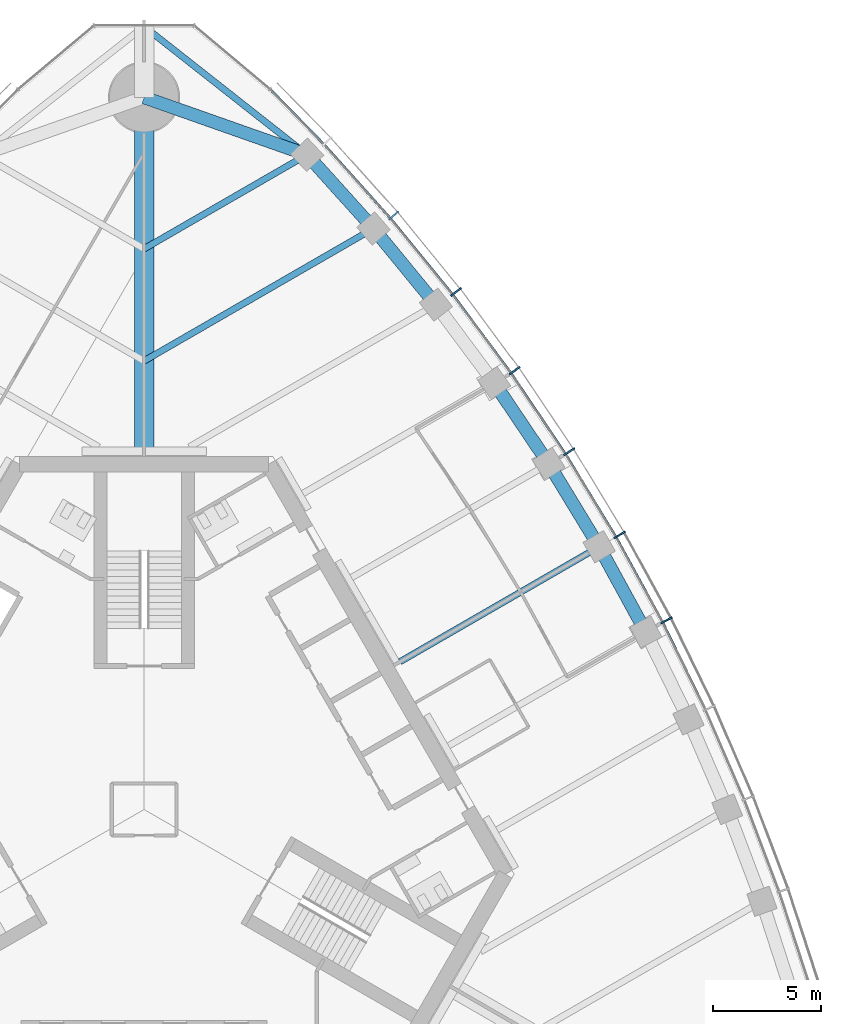
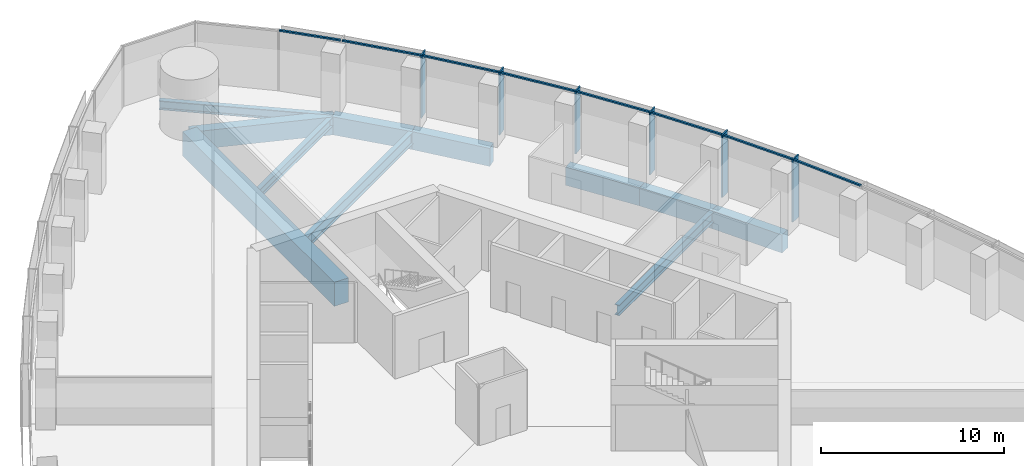
# One storey, part 7 of 19: 14 members, 11 beams, 1 element without a shape of its own.
"""IFC4 building model written with IfcOpenShell, lengths in metres."""

from ifc_helpers import new_model, si_unit, direction, frame, origin, origin_2d, place, context, subcontext, project, spatial, rectangle, i_section, extrude, material, material_profile, profile_set, type_object, element, aggregate, save


model = new_model("IFC4")

# Units and contexts
model_context = context("Model", 3, precision=1e-05, world=origin(), true_north=direction((0.0, 1.0)))
body_context = subcontext(model_context, "Body", "Model", "MODEL_VIEW")
ifc_project = project(units=[si_unit("LENGTHUNIT", "METRE"), si_unit("AREAUNIT", "SQUARE_METRE"), si_unit("VOLUMEUNIT", "CUBIC_METRE"), si_unit("PLANEANGLEUNIT", "RADIAN"), si_unit("MASSUNIT", "GRAM", prefix="KILO")], contexts=[model_context])

# Site, building, storey
site_placement = place(None, origin())
site = spatial("IfcSite", under=ifc_project, at=site_placement, CompositionType="ELEMENT")
building_placement = place(site_placement, origin())
building = spatial("IfcBuilding", under=site, at=building_placement, Name="Trefoil Bronze Tower", CompositionType="ELEMENT")
storey_placement = place(building_placement, frame((0.0, 0.0, 223.300048828125)))
storey = spatial("IfcBuildingStorey", under=building, at=storey_placement, Name="L51", CompositionType="ELEMENT", Elevation=223.300048828125)

# Curtain wall, members
ifc_material_1 = material(Name="Tinted solar-control glass", Category="glass")
curtain_wall_type = type_object("IfcCurtainWallType", Name="Bronze office curtain wall", PredefinedType="USERDEFINED", material=ifc_material_1)
curtain_wall_placement = place(storey_placement, origin())
curtain_wall = element("IfcCurtainWall", 1, at=curtain_wall_placement, inside=storey, type_object=curtain_wall_type, Name="CW-A L51 F2", ObjectType="CURTAIN WALL", PredefinedType="USERDEFINED")
ifc_material_2 = material(Name="Bronze-finish aluminium", Category="aluminium")
ifc_material_profile_1 = material_profile(ifc_material_2, rectangle(XDim=0.60009765625, YDim=0.080078125, at=origin_2d()), Name="CW-A mullion")
ifc_profile_set_1 = profile_set([ifc_material_profile_1], Name="Bronze-finish aluminium")
member_type_1 = type_object("IfcMemberType", Name="Bronze office curtain wall mullion", PredefinedType="MULLION", material=ifc_profile_set_1)
member_1_placement = place(storey_placement, frame((24.2080078125, 8.764404296875, 0.0), z_axis=(0.0, 0.0, 1.0), x_axis=(-0.888088206965, -0.459673075837, 0.0)))
member_1 = element("IfcMember", 2, at=member_1_placement, type_object=member_type_1, Name="CW-A L51 F2 mullion 6", PredefinedType="MULLION", context=body_context, shape_type="SweptSolid", body=[
    extrude(rectangle(XDim=0.60009765625, YDim=0.080078125, at=origin_2d()), origin(), (0.0, 0.0, 1.0), 4.179931640625),
])
member_2_placement = place(storey_placement, frame((22.041015625, 12.725341796875, 0.0), z_axis=(0.0, 0.0, 1.0), x_axis=(-0.866025403784, -0.5, 0.0)))
member_2 = element("IfcMember", 3, at=member_2_placement, type_object=member_type_1, Name="CW-A L51 F2 mullion 7", PredefinedType="MULLION", context=body_context, shape_type="SweptSolid", body=[
    extrude(rectangle(XDim=0.60009765625, YDim=0.080078125, at=origin_2d()), origin(), (0.0, 0.0, 1.0), 4.179931640625),
])
member_3_placement = place(storey_placement, frame((19.694091796875, 16.58251953125, 0.0), z_axis=(0.0, 0.0, 1.0), x_axis=(-0.842132664593, -0.539270410114, 0.0)))
member_3 = element("IfcMember", 4, at=member_3_placement, type_object=member_type_1, Name="CW-A L51 F2 mullion 8", PredefinedType="MULLION", context=body_context, shape_type="SweptSolid", body=[
    extrude(rectangle(XDim=0.60009765625, YDim=0.080078125, at=origin_2d()), origin(), (0.0, 0.0, 1.0), 4.179931640625),
])
member_4_placement = place(storey_placement, frame((17.167236328125, 20.335693359375, 0.0), z_axis=(0.0, 0.0, 1.0), x_axis=(-0.81640398396, -0.577481198806, 0.0)))
member_4 = element("IfcMember", 5, at=member_4_placement, type_object=member_type_1, Name="CW-A L51 F2 mullion 9", PredefinedType="MULLION", context=body_context, shape_type="SweptSolid", body=[
    extrude(rectangle(XDim=0.60009765625, YDim=0.080078125, at=origin_2d()), origin(), (0.0, 0.0, 1.0), 4.179931640625),
])
member_5_placement = place(storey_placement, frame((14.45849609375, 23.98388671875, 0.0), z_axis=(0.0, 0.0, 1.0), x_axis=(-0.788821461078, -0.614622406476, 0.0)))
member_5 = element("IfcMember", 6, at=member_5_placement, type_object=member_type_1, Name="CW-A L51 F2 mullion 10", PredefinedType="MULLION", context=body_context, shape_type="SweptSolid", body=[
    extrude(rectangle(XDim=0.60009765625, YDim=0.080078125, at=origin_2d()), origin(), (0.0, 0.0, 1.0), 4.179931640625),
])
member_6_placement = place(storey_placement, frame((11.564697265625, 27.525146484375, 0.0), z_axis=(0.0, 0.0, 1.0), x_axis=(-0.75935470958, -0.650676897576, 0.0)))
member_6 = element("IfcMember", 7, at=member_6_placement, type_object=member_type_1, Name="CW-A L51 F2 mullion 11", PredefinedType="MULLION", context=body_context, shape_type="SweptSolid", body=[
    extrude(rectangle(XDim=0.60009765625, YDim=0.080078125, at=origin_2d()), origin(), (0.0, 0.0, 1.0), 4.179931640625),
])
ifc_material_3 = material(Name="Bronze-finish aluminium", Category="aluminium")
ifc_material_profile_2 = material_profile(ifc_material_3, rectangle(XDim=0.1201171875, YDim=0.10009765625, at=origin_2d()), Name="CW-A transom")
ifc_profile_set_2 = profile_set([ifc_material_profile_2], Name="Bronze-finish aluminium")
member_type_2 = type_object("IfcMemberType", Name="Bronze office curtain wall transom", PredefinedType="USERDEFINED", material=ifc_profile_set_2)
member_7_placement = place(storey_placement, frame((25.99462890625, 4.65380859375, 4.1298828125), z_axis=(-0.439150835991, 0.898413347657, 0.0), x_axis=(-0.898413347657, -0.439150835991, 0.0)))
member_7 = element("IfcMember", 8, at=member_7_placement, type_object=member_type_2, Name="CW-A L51 F2 transom 5", ObjectType="TRANSOM", PredefinedType="USERDEFINED", context=body_context, shape_type="SweptSolid", body=[
    extrude(rectangle(XDim=0.1201171875, YDim=0.10009765625, at=origin_2d()), origin(), (0.0, 0.0, 1.0), 4.430908203125),
])
member_8_placement = place(storey_placement, frame((24.010009765625, 8.70947265625, 4.1298828125), z_axis=(-0.479973729071, 0.877282861683, 0.0), x_axis=(-0.877282861683, -0.479973729071, 0.0)))
member_8 = element("IfcMember", 9, at=member_8_placement, type_object=member_type_2, Name="CW-A L51 F2 transom 6", ObjectType="TRANSOM", PredefinedType="USERDEFINED", context=body_context, shape_type="SweptSolid", body=[
    extrude(rectangle(XDim=0.1201171875, YDim=0.10009765625, at=origin_2d()), origin(), (0.0, 0.0, 1.0), 4.421142578125),
])
member_9_placement = place(storey_placement, frame((21.845703125, 12.661376953125, 4.1298828125), z_axis=(-0.519740214649, 0.854324358354, 0.0), x_axis=(-0.854324358354, -0.519740214649, 0.0)))
member_9 = element("IfcMember", 10, at=member_9_placement, type_object=member_type_2, Name="CW-A L51 F2 transom 7", ObjectType="TRANSOM", PredefinedType="USERDEFINED", context=body_context, shape_type="SweptSolid", body=[
    extrude(rectangle(XDim=0.1201171875, YDim=0.10009765625, at=origin_2d()), origin(), (0.0, 0.0, 1.0), 4.421142578125),
])
member_10_placement = place(storey_placement, frame((19.502197265625, 16.509765625, 4.1298828125), z_axis=(-0.558509087547, 0.829498402125, 0.0), x_axis=(-0.829498402125, -0.558509087547, 0.0)))
member_10 = element("IfcMember", 11, at=member_10_placement, type_object=member_type_2, Name="CW-A L51 F2 transom 8", ObjectType="TRANSOM", PredefinedType="USERDEFINED", context=body_context, shape_type="SweptSolid", body=[
    extrude(rectangle(XDim=0.1201171875, YDim=0.10009765625, at=origin_2d()), origin(), (0.0, 0.0, 1.0), 4.4306640625),
])
member_11_placement = place(storey_placement, frame((16.978759765625, 20.254150390625, 4.1298828125), z_axis=(-0.59614822717, 0.802874393191, 0.0), x_axis=(-0.802874393191, -0.59614822717, 0.0)))
member_11 = element("IfcMember", 12, at=member_11_placement, type_object=member_type_2, Name="CW-A L51 F2 transom 9", ObjectType="TRANSOM", PredefinedType="USERDEFINED", context=body_context, shape_type="SweptSolid", body=[
    extrude(rectangle(XDim=0.1201171875, YDim=0.10009765625, at=origin_2d()), origin(), (0.0, 0.0, 1.0), 4.449951171875),
])
member_12_placement = place(storey_placement, frame((14.27392578125, 23.8935546875, 4.1298828125), z_axis=(-0.632756871921, 0.774350528531, 0.0), x_axis=(-0.774350528531, -0.632756871921, 0.0)))
member_12 = element("IfcMember", 13, at=member_12_placement, type_object=member_type_2, Name="CW-A L51 F2 transom 10", ObjectType="TRANSOM", PredefinedType="USERDEFINED", context=body_context, shape_type="SweptSolid", body=[
    extrude(rectangle(XDim=0.1201171875, YDim=0.10009765625, at=origin_2d()), origin(), (0.0, 0.0, 1.0), 4.4794921875),
])
member_13_placement = place(storey_placement, frame((11.384521484375, 27.426513671875, 4.1298828125), z_axis=(-0.66825109551, 0.743935799213, 0.0), x_axis=(-0.743935799213, -0.66825109551, 0.0)))
member_13 = element("IfcMember", 14, at=member_13_placement, type_object=member_type_2, Name="CW-A L51 F2 transom 11", ObjectType="TRANSOM", PredefinedType="USERDEFINED", context=body_context, shape_type="SweptSolid", body=[
    extrude(rectangle(XDim=0.1201171875, YDim=0.10009765625, at=origin_2d()), origin(), (0.0, 0.0, 1.0), 4.519287109375),
])
member_14_placement = place(storey_placement, frame((8.306884765625, 30.85009765625, 4.1298828125), z_axis=(-0.698646935368, 0.715466602785, 0.0), x_axis=(-0.715466602785, -0.698646935368, 0.0)))
member_14 = element("IfcMember", 15, at=member_14_placement, type_object=member_type_2, Name="CW-A L51 F2 transom 12", ObjectType="TRANSOM", PredefinedType="USERDEFINED", context=body_context, shape_type="SweptSolid", body=[
    extrude(rectangle(XDim=0.1201171875, YDim=0.10009765625, at=origin_2d()), origin(), (0.0, 0.0, 1.0), 3.483642578125),
])
aggregate(curtain_wall, [member_1, member_2, member_3, member_4, member_5, member_6, member_7, member_8, member_9, member_10, member_11, member_12, member_13, member_14])

# Beams
ifc_material_4 = material(Name="Steel C355", Category="steel")
ifc_material_profile_3 = material_profile(ifc_material_4, i_section(OverallWidth=0.300048828125, OverallDepth=0.60009765625, WebThickness=0.015380859375, FlangeThickness=0.030029296875, FilletRadius=0.027099609375, at=origin_2d()), Name="HEB 600")
ifc_profile_set_3 = profile_set([ifc_material_profile_3], Name="Steel C355")
beam_type_1 = type_object("IfcBeamType", Name="Corner edge beam HEB 600", PredefinedType="BEAM", material=ifc_profile_set_3)
beam_1_placement = place(storey_placement, frame((7.552001953125, 30.3408203125, -0.5), z_axis=(-0.785805912008, 0.618473175371, 0.0), x_axis=(-0.618473175371, -0.785805912008, 0.0)))
element("IfcBeam", 16, at=beam_1_placement, inside=storey, type_object=beam_type_1, Name="Corner edge beam F2A L51", PredefinedType="BEAM", context=body_context, shape_type="SweptSolid", body=[
    extrude(i_section(OverallWidth=0.300048828125, OverallDepth=0.60009765625, WebThickness=0.015380859375, FlangeThickness=0.030029296875, FilletRadius=0.027099609375, at=origin_2d()), origin(), (0.0, 0.0, 1.0), 9.610595703125),
])
ifc_material_5 = material(Name="Concrete B80", Category="concrete")
ifc_material_profile_4 = material_profile(ifc_material_5, rectangle(XDim=0.89990234375, YDim=1.60009765625, at=origin_2d()), Name="RC 900x1600")
ifc_profile_set_4 = profile_set([ifc_material_profile_4], Name="Concrete B80")
beam_type_2 = type_object("IfcBeamType", Name="Corner girder RC 900x1600", PredefinedType="BEAM", material=ifc_profile_set_4)
beam_2_placement = place(storey_placement, frame((0.0, 16.39990234375, -1.0), z_axis=(0.0, 1.0, 0.0), x_axis=(-1.0, 0.0, 0.0)))
element("IfcBeam", 17, at=beam_2_placement, inside=storey, type_object=beam_type_2, Name="Corner girder K2 L51", PredefinedType="BEAM", context=body_context, shape_type="SweptSolid", body=[
    extrude(rectangle(XDim=0.89990234375, YDim=1.60009765625, at=origin_2d()), origin(), (0.0, 0.0, 1.0), 16.60009765625),
])
ifc_material_6 = material(Name="Concrete B80", Category="concrete")
ifc_material_profile_5 = material_profile(ifc_material_6, rectangle(XDim=0.60009765625, YDim=1.199951171875, at=origin_2d()), Name="RC 600x1200")
ifc_profile_set_5 = profile_set([ifc_material_profile_5], Name="Concrete B80")
beam_type_3 = type_object("IfcBeamType", Name="End spandrel beam RC 600x1200", PredefinedType="SPANDREL", material=ifc_profile_set_5)
beam_3_placement = place(storey_placement, frame((7.552001953125, 30.3408203125, -0.800048828125), z_axis=(-0.943234397359, 0.332127794137, 0.0), x_axis=(-0.332127794137, -0.943234397359, 0.0)))
element("IfcBeam", 18, at=beam_3_placement, inside=storey, type_object=beam_type_3, Name="Spandrel F2.12 L51", PredefinedType="SPANDREL", context=body_context, shape_type="SweptSolid", body=[
    extrude(rectangle(XDim=0.60009765625, YDim=1.199951171875, at=origin_2d()), origin(), (0.0, 0.0, 1.0), 8.006591796875),
])
ifc_material_7 = material(Name="Steel C355", Category="steel")
ifc_material_profile_6 = material_profile(ifc_material_7, i_section(OverallWidth=0.300048828125, OverallDepth=0.590087890625, WebThickness=0.012939453125, FlangeThickness=0.02490234375, FilletRadius=0.027099609375, at=origin_2d()), Name="HEA 600")
ifc_profile_set_6 = profile_set([ifc_material_profile_6], Name="Steel C355")
beam_type_4 = type_object("IfcBeamType", Name="Floor beam HEA 600", PredefinedType="BEAM", material=ifc_profile_set_6)
beam_4_placement = place(storey_placement, frame((7.552001953125, 30.3408203125, -0.4951171875), z_axis=(-0.866027535932, -0.499996306993, 0.0), x_axis=(0.499996306993, -0.866027535932, 0.0)))
element("IfcBeam", 19, at=beam_4_placement, inside=storey, type_object=beam_type_4, Name="Floor beam F2/+5 L51", PredefinedType="BEAM", context=body_context, shape_type="SweptSolid", body=[
    extrude(i_section(OverallWidth=0.300048828125, OverallDepth=0.590087890625, WebThickness=0.012939453125, FlangeThickness=0.02490234375, FilletRadius=0.027099609375, at=origin_2d()), origin(), (0.0, 0.0, 1.0), 8.72021484375),
])
ifc_material_8 = material(Name="Steel C355", Category="steel")
ifc_material_profile_7 = material_profile(ifc_material_8, i_section(OverallWidth=0.300048828125, OverallDepth=0.699951171875, WebThickness=0.01708984375, FlangeThickness=0.031982421875, FilletRadius=0.027099609375, at=origin_2d()), Name="HEB 700")
ifc_profile_set_7 = profile_set([ifc_material_profile_7], Name="Steel C355")
beam_type_5 = type_object("IfcBeamType", Name="Floor beam HEB 700", PredefinedType="BEAM", material=ifc_profile_set_7)
beam_5_placement = place(storey_placement, frame((21.08837890625, 12.17529296875, -0.550048828125), z_axis=(-0.866034044198, -0.499985034066, 0.0), x_axis=(0.499985034066, -0.866034044198, 0.0)))
element("IfcBeam", 20, at=beam_5_placement, inside=storey, type_object=beam_type_5, Name="Floor beam F2/+0 L51", PredefinedType="BEAM", context=body_context, shape_type="SweptSolid", body=[
    extrude(i_section(OverallWidth=0.300048828125, OverallDepth=0.699951171875, WebThickness=0.01708984375, FlangeThickness=0.031982421875, FilletRadius=0.027099609375, at=origin_2d()), origin(), (0.0, 0.0, 1.0), 10.650634765625),
])
ifc_material_9 = material(Name="Steel C355", Category="steel")
ifc_material_profile_8 = material_profile(ifc_material_9, i_section(OverallWidth=0.300048828125, OverallDepth=0.800048828125, WebThickness=0.017578125, FlangeThickness=0.032958984375, FilletRadius=0.030029296875, at=origin_2d()), Name="HEB 800")
ifc_profile_set_8 = profile_set([ifc_material_profile_8], Name="Steel C355")
beam_type_6 = type_object("IfcBeamType", Name="Floor beam HEB 800", PredefinedType="BEAM", material=ifc_profile_set_8)
beam_6_placement = place(storey_placement, frame((10.632080078125, 26.923095703125, -0.60009765625), z_axis=(-0.866025635187, -0.499999599199, 0.0), x_axis=(0.499999599199, -0.866025635187, 0.0)))
element("IfcBeam", 21, at=beam_6_placement, inside=storey, type_object=beam_type_6, Name="Floor beam F2/+4 L51", PredefinedType="BEAM", context=body_context, shape_type="SweptSolid", body=[
    extrude(i_section(OverallWidth=0.300048828125, OverallDepth=0.800048828125, WebThickness=0.017578125, FlangeThickness=0.032958984375, FilletRadius=0.030029296875, at=origin_2d()), origin(), (0.0, 0.0, 1.0), 12.27685546875),
])
ifc_material_10 = material(Name="Concrete B80", Category="concrete")
ifc_material_profile_9 = material_profile(ifc_material_10, rectangle(XDim=0.60009765625, YDim=1.199951171875, at=origin_2d()), Name="RC 600x1200")
ifc_profile_set_9 = profile_set([ifc_material_profile_9], Name="Concrete B80")
beam_type_7 = type_object("IfcBeamType", Name="Spandrel beam RC 600x1200", PredefinedType="SPANDREL", material=ifc_profile_set_9)
for number, where, z_axis, x_axis, name in (
    (22, (23.248046875, 8.22607421875, -0.800048828125), (-0.479801903802, 0.87737684783, 0.0), (-0.87737684783, -0.479801903802, 0.0), "Spandrel F2.6 L51"),
    (23, (21.08837890625, 12.17529296875, -0.800048828125), (-0.519933181394, 0.854206934464, 0.0), (-0.854206934464, -0.519933181394, 0.0), "Spandrel F2.7 L51"),
):
    element("IfcBeam", number, at=place(storey_placement, frame(where, z_axis=z_axis, x_axis=x_axis)), inside=storey, type_object=beam_type_7, Name=name, PredefinedType="SPANDREL", context=body_context, shape_type="SweptSolid", body=[
        extrude(rectangle(XDim=0.60009765625, YDim=1.199951171875, at=origin_2d()), origin(), (0.0, 0.0, 1.0), 4.501220703125),
    ])
beam_7_placement = place(storey_placement, frame((18.748046875, 16.020263671875, -0.800048828125), z_axis=(-0.558964302753, 0.829191719838, 0.0), x_axis=(-0.829191719838, -0.558964302753, 0.0)))
element("IfcBeam", 24, at=beam_7_placement, inside=storey, type_object=beam_type_7, Name="Spandrel F2.8 L51", PredefinedType="SPANDREL", context=body_context, shape_type="SweptSolid", body=[
    extrude(rectangle(XDim=0.60009765625, YDim=1.199951171875, at=origin_2d()), origin(), (0.0, 0.0, 1.0), 4.510986328125),
])
beam_8_placement = place(storey_placement, frame((13.522216796875, 23.3955078125, -0.800048828125), z_axis=(-0.633753657863, 0.773534938542, 0.0), x_axis=(-0.773534938542, -0.633753657863, 0.0)))
element("IfcBeam", 25, at=beam_8_placement, inside=storey, type_object=beam_type_7, Name="Spandrel F2.10 L51", PredefinedType="SPANDREL", context=body_context, shape_type="SweptSolid", body=[
    extrude(rectangle(XDim=0.60009765625, YDim=1.199951171875, at=origin_2d()), origin(), (0.0, 0.0, 1.0), 4.560302734375),
])
beam_9_placement = place(storey_placement, frame((10.632080078125, 26.923095703125, -0.800048828125), z_axis=(-0.669460045872, 0.742848064534, 0.0), x_axis=(-0.742848064534, -0.669460045872, 0.0)))
element("IfcBeam", 26, at=beam_9_placement, inside=storey, type_object=beam_type_7, Name="Spandrel F2.11 L51", PredefinedType="SPANDREL", context=body_context, shape_type="SweptSolid", body=[
    extrude(rectangle(XDim=0.60009765625, YDim=1.199951171875, at=origin_2d()), origin(), (0.0, 0.0, 1.0), 4.600830078125),
])

save(model, "model.ifc")
